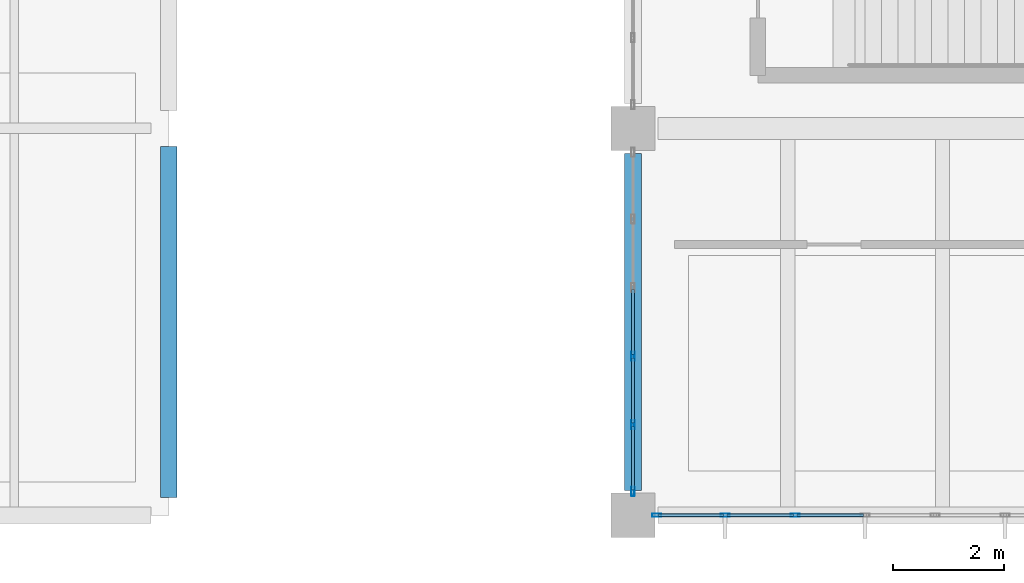
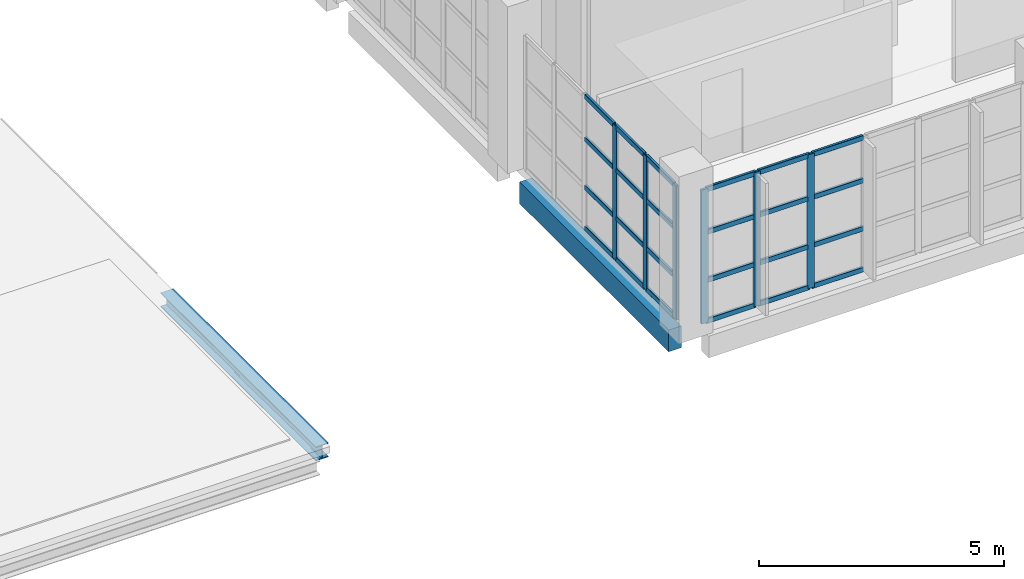
# One storey, part 13 of 177: 30 members, 2 beams, 2 elements without a shape of their own.
"""IFC4 building model written with IfcOpenShell, lengths in metres."""

from ifc_helpers import new_model, si_unit, direction, frame, origin, origin_2d, place, context, subcontext, project, spatial, rectangle, hollow_rectangle, i_section, extrude, material, layer, layer_set, material_profile, profile_set, type_object, element, aggregate, save


model = new_model("IFC4")

# Units and contexts
model_context = context("Model", 3, precision=1e-05, world=origin(), true_north=direction((0.0, 1.0)))
body_context = subcontext(model_context, "Body", "Model", "MODEL_VIEW")
ifc_project = project(units=[si_unit("LENGTHUNIT", "METRE"), si_unit("AREAUNIT", "SQUARE_METRE"), si_unit("VOLUMEUNIT", "CUBIC_METRE"), si_unit("PLANEANGLEUNIT", "RADIAN"), si_unit("MASSUNIT", "GRAM", prefix="KILO"), si_unit("THERMODYNAMICTEMPERATUREUNIT", "KELVIN"), si_unit("POWERUNIT", "WATT")], contexts=[model_context])

# Site, building, storey
site_placement = place(None, origin())
site = spatial("IfcSite", under=ifc_project, at=site_placement, CompositionType="ELEMENT")
building_placement = place(site_placement, origin())
building = spatial("IfcBuilding", under=site, at=building_placement, Name="Mavoryth Pier Ferry Terminal", CompositionType="ELEMENT")
storey_placement = place(building_placement, frame((0.0, 0.0, 5.43994140625)))
storey = spatial("IfcBuildingStorey", under=building, at=storey_placement, Name="L01", CompositionType="ELEMENT", Elevation=5.43994140625)

# Curtain wall, members
ifc_material_1 = material(Name="Anodised Aluminium and Solar-Control Low-E Glass", Category="aluminium")
ifc_layer = layer(ifc_material_1, 0.239990234375, Name="Anodised Aluminium and Solar-Control Low-E Glass", Category="aluminium")
ifc_layer_set = layer_set([ifc_layer], Name="Anodised Aluminium and Solar-Control Low-E Glass - CW-Operations-Mod1200")
curtain_wall_type = type_object("IfcCurtainWallType", Name="CW-Operations-Mod1200", PredefinedType="USERDEFINED", material=ifc_layer_set)
curtain_wall_1_placement = place(storey_placement, origin())
curtain_wall_1 = element("IfcCurtainWall", 1, at=curtain_wall_1_placement, inside=storey, type_object=curtain_wall_type, Name="Curtain Wall CW-0122-110", ObjectType="UNITISED CURTAIN WALL", PredefinedType="USERDEFINED")
ifc_material_2 = material(Name="Anodised Aluminium EN AW-6063", Category="aluminium")
ifc_material_profile_1 = material_profile(ifc_material_2, hollow_rectangle(XDim=0.06005859375, YDim=0.1650390625, WallThickness=0.00390625, InnerFilletRadius=0.00390625, OuterFilletRadius=0.008056640625, at=origin_2d()), Name="AL-MULL 165x60x4", Category="aluminium")
ifc_profile_set_1 = profile_set([ifc_material_profile_1], Name="Anodised Aluminium EN AW-6063 - AL-MULL 165x60x4")
member_type_1 = type_object("IfcMemberType", Name="Mullion-Alum-165x60", PredefinedType="MULLION", material=ifc_profile_set_1)
member_1_placement = place(storey_placement, frame((42.429931640625, 0.0, 0.0), z_axis=(0.0, 0.0, 1.0), x_axis=(0.0, 1.0, 0.0)))
member_1 = element("IfcMember", 2, at=member_1_placement, type_object=member_type_1, Name="CW06 mullion 1", PredefinedType="MULLION", context=body_context, shape_type="SweptSolid", body=[
    extrude(hollow_rectangle(XDim=0.06005859375, YDim=0.1650390625, WallThickness=0.00390625, InnerFilletRadius=0.00390625, OuterFilletRadius=0.008056640625, at=origin_2d()), origin(), (0.0, 0.0, 1.0), 3.344970703125),
])
member_2_placement = place(storey_placement, frame((43.666748046875, 0.0, 0.0), z_axis=(0.0, 0.0, 1.0), x_axis=(0.0, 1.0, 0.0)))
member_2 = element("IfcMember", 3, at=member_2_placement, type_object=member_type_1, Name="CW06 mullion 2", PredefinedType="MULLION", context=body_context, shape_type="SweptSolid", body=[
    extrude(hollow_rectangle(XDim=0.06005859375, YDim=0.1650390625, WallThickness=0.00390625, InnerFilletRadius=0.00390625, OuterFilletRadius=0.008056640625, at=origin_2d()), origin(), (0.0, 0.0, 1.0), 3.344970703125),
])
member_3_placement = place(storey_placement, frame((44.933349609375, 0.0, 0.0), z_axis=(0.0, 0.0, 1.0), x_axis=(0.0, 1.0, 0.0)))
member_3 = element("IfcMember", 4, at=member_3_placement, type_object=member_type_1, Name="CW06 mullion 3", PredefinedType="MULLION", context=body_context, shape_type="SweptSolid", body=[
    extrude(hollow_rectangle(XDim=0.06005859375, YDim=0.1650390625, WallThickness=0.00390625, InnerFilletRadius=0.00390625, OuterFilletRadius=0.008056640625, at=origin_2d()), origin(), (0.0, 0.0, 1.0), 3.344970703125),
])

curtain_wall_2_placement = place(storey_placement, origin())
curtain_wall_2 = element("IfcCurtainWall", 5, at=curtain_wall_2_placement, inside=storey, type_object=curtain_wall_type, Name="Curtain Wall CW-0122-120", ObjectType="UNITISED CURTAIN WALL", PredefinedType="USERDEFINED")
member_4_placement = place(storey_placement, frame((42.0, 2.8798828125, 0.0), z_axis=(0.0, 0.0, 1.0), x_axis=(1.0, 0.0, 0.0)))
member_4 = element("IfcMember", 6, at=member_4_placement, type_object=member_type_1, Name="CW06 mullion 4", PredefinedType="MULLION", context=body_context, shape_type="SweptSolid", body=[
    extrude(hollow_rectangle(XDim=0.06005859375, YDim=0.1650390625, WallThickness=0.00390625, InnerFilletRadius=0.00390625, OuterFilletRadius=0.008056640625, at=origin_2d()), origin(), (0.0, 0.0, 1.0), 3.344970703125),
])
member_5_placement = place(storey_placement, frame((42.0, 1.639892578125, 0.0), z_axis=(0.0, 0.0, 1.0), x_axis=(1.0, 0.0, 0.0)))
member_5 = element("IfcMember", 7, at=member_5_placement, type_object=member_type_1, Name="CW06 mullion 5", PredefinedType="MULLION", context=body_context, shape_type="SweptSolid", body=[
    extrude(hollow_rectangle(XDim=0.06005859375, YDim=0.1650390625, WallThickness=0.00390625, InnerFilletRadius=0.00390625, OuterFilletRadius=0.008056640625, at=origin_2d()), origin(), (0.0, 0.0, 1.0), 3.344970703125),
])
member_6_placement = place(storey_placement, frame((42.0, 0.429931640625, 0.0), z_axis=(0.0, 0.0, 1.0), x_axis=(1.0, 0.0, 0.0)))
member_6 = element("IfcMember", 8, at=member_6_placement, type_object=member_type_1, Name="CW06 mullion 6", PredefinedType="MULLION", context=body_context, shape_type="SweptSolid", body=[
    extrude(hollow_rectangle(XDim=0.06005859375, YDim=0.1650390625, WallThickness=0.00390625, InnerFilletRadius=0.00390625, OuterFilletRadius=0.008056640625, at=origin_2d()), origin(), (0.0, 0.0, 1.0), 3.344970703125),
])

# Beams
ifc_material_3 = material(Name="Concrete C35/45", Category="concrete")
ifc_material_profile_2 = material_profile(ifc_material_3, rectangle(XDim=0.300048828125, YDim=0.5400390625, at=origin_2d()), Name="RC 300x540", Category="concrete")
ifc_profile_set_2 = profile_set([ifc_material_profile_2], Name="Concrete C35/45 - RC 300x540")
beam_type_1 = type_object("IfcBeamType", Name="Spandrel-RC-300x540", PredefinedType="SPANDREL", material=ifc_profile_set_2)
beam_1_placement = place(storey_placement, frame((42.0, 0.449951171875, -0.530029296875), z_axis=(0.0, 1.0, 0.0), x_axis=(-1.0, 0.0, 0.0)))
element("IfcBeam", 9, at=beam_1_placement, inside=storey, type_object=beam_type_1, Name="Beam B01-SP02-0534", PredefinedType="SPANDREL", context=body_context, shape_type="SweptSolid", body=[
    extrude(rectangle(XDim=0.300048828125, YDim=0.5400390625, at=origin_2d()), origin(), (0.0, 0.0, 1.0), 6.10009765625),
])
ifc_material_4 = material(Name="Steel S355J2", Category="steel")
ifc_material_profile_3 = material_profile(ifc_material_4, i_section(OverallWidth=0.300048828125, OverallDepth=0.35009765625, WebThickness=0.010009765625, FlangeThickness=0.017578125, FilletRadius=0.027099609375, at=origin_2d()), Name="HEA 360", Category="steel")
ifc_profile_set_3 = profile_set([ifc_material_profile_3], Name="Steel S355J2 - HEA 360")
beam_type_2 = type_object("IfcBeamType", Name="Spandrel-Steel-HEA360", PredefinedType="SPANDREL", material=ifc_profile_set_3)
beam_2_placement = place(storey_placement, frame((33.60009765625, 0.324951171875, -0.3349609375), z_axis=(0.0, 1.0, 0.0), x_axis=(-1.0, 0.0, 0.0)))
element("IfcBeam", 10, at=beam_2_placement, inside=storey, type_object=beam_type_2, Name="Beam B01-SP03-0021", PredefinedType="SPANDREL", context=body_context, shape_type="SweptSolid", body=[
    extrude(i_section(OverallWidth=0.300048828125, OverallDepth=0.35009765625, WebThickness=0.010009765625, FlangeThickness=0.017578125, FilletRadius=0.027099609375, at=origin_2d()), origin(), (0.0, 0.0, 1.0), 6.35009765625),
])

# Member
ifc_material_profile_4 = material_profile(ifc_material_2, hollow_rectangle(XDim=0.06005859375, YDim=0.125, WallThickness=0.00390625, InnerFilletRadius=0.00390625, OuterFilletRadius=0.008056640625, at=origin_2d()), Name="AL-TRAN 125x60x4", Category="aluminium")
ifc_profile_set_4 = profile_set([ifc_material_profile_4], Name="Anodised Aluminium EN AW-6063 - AL-TRAN 125x60x4")
member_type_2 = type_object("IfcMemberType", Name="Transom-Alum-125x60", PredefinedType="USERDEFINED", material=ifc_profile_set_4)
member_7_placement = place(storey_placement, frame((42.4599609375, 0.0, 0.030029296875), z_axis=(1.0, 0.0, 0.0), x_axis=(0.0, 1.0, 0.0)))
member_7 = element("IfcMember", 11, at=member_7_placement, type_object=member_type_2, Name="CW06 transom 1.1", ObjectType="TRANSOM", PredefinedType="USERDEFINED", context=body_context, shape_type="SweptSolid", body=[
    extrude(hollow_rectangle(XDim=0.06005859375, YDim=0.125, WallThickness=0.00390625, InnerFilletRadius=0.00390625, OuterFilletRadius=0.008056640625, at=origin_2d()), origin(), (0.0, 0.0, 1.0), 1.1767578125),
])

member_8_placement = place(storey_placement, frame((42.4599609375, 0.0, 1.050048828125), z_axis=(1.0, 0.0, 0.0), x_axis=(0.0, 1.0, 0.0)))
member_8 = element("IfcMember", 12, at=member_8_placement, type_object=member_type_2, Name="CW06 transom 1.2", ObjectType="TRANSOM", PredefinedType="USERDEFINED", context=body_context, shape_type="SweptSolid", body=[
    extrude(hollow_rectangle(XDim=0.06005859375, YDim=0.125, WallThickness=0.00390625, InnerFilletRadius=0.00390625, OuterFilletRadius=0.008056640625, at=origin_2d()), origin(), (0.0, 0.0, 1.0), 1.1767578125),
])

member_9_placement = place(storey_placement, frame((42.4599609375, 0.0, 2.25), z_axis=(1.0, 0.0, 0.0), x_axis=(0.0, 1.0, 0.0)))
member_9 = element("IfcMember", 13, at=member_9_placement, type_object=member_type_2, Name="CW06 transom 1.3", ObjectType="TRANSOM", PredefinedType="USERDEFINED", context=body_context, shape_type="SweptSolid", body=[
    extrude(hollow_rectangle(XDim=0.06005859375, YDim=0.125, WallThickness=0.00390625, InnerFilletRadius=0.00390625, OuterFilletRadius=0.008056640625, at=origin_2d()), origin(), (0.0, 0.0, 1.0), 1.1767578125),
])

member_10_placement = place(storey_placement, frame((42.4599609375, 0.0, 3.31494140625), z_axis=(1.0, 0.0, 0.0), x_axis=(0.0, 1.0, 0.0)))
member_10 = element("IfcMember", 14, at=member_10_placement, type_object=member_type_2, Name="CW06 transom 1.4", ObjectType="TRANSOM", PredefinedType="USERDEFINED", context=body_context, shape_type="SweptSolid", body=[
    extrude(hollow_rectangle(XDim=0.06005859375, YDim=0.125, WallThickness=0.00390625, InnerFilletRadius=0.00390625, OuterFilletRadius=0.008056640625, at=origin_2d()), origin(), (0.0, 0.0, 1.0), 1.1767578125),
])

member_11_placement = place(storey_placement, frame((43.69677734375, 0.0, 0.030029296875), z_axis=(1.0, 0.0, 0.0), x_axis=(0.0, 1.0, 0.0)))
member_11 = element("IfcMember", 15, at=member_11_placement, type_object=member_type_2, Name="CW06 transom 2.1", ObjectType="TRANSOM", PredefinedType="USERDEFINED", context=body_context, shape_type="SweptSolid", body=[
    extrude(hollow_rectangle(XDim=0.06005859375, YDim=0.125, WallThickness=0.00390625, InnerFilletRadius=0.00390625, OuterFilletRadius=0.008056640625, at=origin_2d()), origin(), (0.0, 0.0, 1.0), 1.20654296875),
])

member_12_placement = place(storey_placement, frame((43.69677734375, 0.0, 1.050048828125), z_axis=(1.0, 0.0, 0.0), x_axis=(0.0, 1.0, 0.0)))
member_12 = element("IfcMember", 16, at=member_12_placement, type_object=member_type_2, Name="CW06 transom 2.2", ObjectType="TRANSOM", PredefinedType="USERDEFINED", context=body_context, shape_type="SweptSolid", body=[
    extrude(hollow_rectangle(XDim=0.06005859375, YDim=0.125, WallThickness=0.00390625, InnerFilletRadius=0.00390625, OuterFilletRadius=0.008056640625, at=origin_2d()), origin(), (0.0, 0.0, 1.0), 1.20654296875),
])

member_13_placement = place(storey_placement, frame((43.69677734375, 0.0, 2.25), z_axis=(1.0, 0.0, 0.0), x_axis=(0.0, 1.0, 0.0)))
member_13 = element("IfcMember", 17, at=member_13_placement, type_object=member_type_2, Name="CW06 transom 2.3", ObjectType="TRANSOM", PredefinedType="USERDEFINED", context=body_context, shape_type="SweptSolid", body=[
    extrude(hollow_rectangle(XDim=0.06005859375, YDim=0.125, WallThickness=0.00390625, InnerFilletRadius=0.00390625, OuterFilletRadius=0.008056640625, at=origin_2d()), origin(), (0.0, 0.0, 1.0), 1.20654296875),
])

member_14_placement = place(storey_placement, frame((43.69677734375, 0.0, 3.31494140625), z_axis=(1.0, 0.0, 0.0), x_axis=(0.0, 1.0, 0.0)))
member_14 = element("IfcMember", 18, at=member_14_placement, type_object=member_type_2, Name="CW06 transom 2.4", ObjectType="TRANSOM", PredefinedType="USERDEFINED", context=body_context, shape_type="SweptSolid", body=[
    extrude(hollow_rectangle(XDim=0.06005859375, YDim=0.125, WallThickness=0.00390625, InnerFilletRadius=0.00390625, OuterFilletRadius=0.008056640625, at=origin_2d()), origin(), (0.0, 0.0, 1.0), 1.20654296875),
])

member_15_placement = place(storey_placement, frame((44.96337890625, 0.0, 0.030029296875), z_axis=(1.0, 0.0, 0.0), x_axis=(0.0, 1.0, 0.0)))
member_15 = element("IfcMember", 19, at=member_15_placement, type_object=member_type_2, Name="CW06 transom 3.1", ObjectType="TRANSOM", PredefinedType="USERDEFINED", context=body_context, shape_type="SweptSolid", body=[
    extrude(hollow_rectangle(XDim=0.06005859375, YDim=0.125, WallThickness=0.00390625, InnerFilletRadius=0.00390625, OuterFilletRadius=0.008056640625, at=origin_2d()), origin(), (0.0, 0.0, 1.0), 1.20654296875),
])

member_16_placement = place(storey_placement, frame((44.96337890625, 0.0, 1.050048828125), z_axis=(1.0, 0.0, 0.0), x_axis=(0.0, 1.0, 0.0)))
member_16 = element("IfcMember", 20, at=member_16_placement, type_object=member_type_2, Name="CW06 transom 3.2", ObjectType="TRANSOM", PredefinedType="USERDEFINED", context=body_context, shape_type="SweptSolid", body=[
    extrude(hollow_rectangle(XDim=0.06005859375, YDim=0.125, WallThickness=0.00390625, InnerFilletRadius=0.00390625, OuterFilletRadius=0.008056640625, at=origin_2d()), origin(), (0.0, 0.0, 1.0), 1.20654296875),
])

member_17_placement = place(storey_placement, frame((44.96337890625, 0.0, 2.25), z_axis=(1.0, 0.0, 0.0), x_axis=(0.0, 1.0, 0.0)))
member_17 = element("IfcMember", 21, at=member_17_placement, type_object=member_type_2, Name="CW06 transom 3.3", ObjectType="TRANSOM", PredefinedType="USERDEFINED", context=body_context, shape_type="SweptSolid", body=[
    extrude(hollow_rectangle(XDim=0.06005859375, YDim=0.125, WallThickness=0.00390625, InnerFilletRadius=0.00390625, OuterFilletRadius=0.008056640625, at=origin_2d()), origin(), (0.0, 0.0, 1.0), 1.20654296875),
])

member_18_placement = place(storey_placement, frame((44.96337890625, 0.0, 3.31494140625), z_axis=(1.0, 0.0, 0.0), x_axis=(0.0, 1.0, 0.0)))
member_18 = element("IfcMember", 22, at=member_18_placement, type_object=member_type_2, Name="CW06 transom 3.4", ObjectType="TRANSOM", PredefinedType="USERDEFINED", context=body_context, shape_type="SweptSolid", body=[
    extrude(hollow_rectangle(XDim=0.06005859375, YDim=0.125, WallThickness=0.00390625, InnerFilletRadius=0.00390625, OuterFilletRadius=0.008056640625, at=origin_2d()), origin(), (0.0, 0.0, 1.0), 1.20654296875),
])

aggregate(curtain_wall_1, [member_1, member_2, member_3, member_7, member_8, member_9, member_10, member_11, member_12, member_13, member_14, member_15, member_16, member_17, member_18])

member_19_placement = place(storey_placement, frame((42.0, 4.090087890625, 0.030029296875), z_axis=(0.0, -1.0, 0.0), x_axis=(1.0, 0.0, 0.0)))
member_19 = element("IfcMember", 23, at=member_19_placement, type_object=member_type_2, Name="CW06 transom 3.1", ObjectType="TRANSOM", PredefinedType="USERDEFINED", context=body_context, shape_type="SweptSolid", body=[
    extrude(hollow_rectangle(XDim=0.06005859375, YDim=0.125, WallThickness=0.00390625, InnerFilletRadius=0.00390625, OuterFilletRadius=0.008056640625, at=origin_2d()), origin(), (0.0, 0.0, 1.0), 1.18017578125),
])

member_20_placement = place(storey_placement, frame((42.0, 4.090087890625, 1.050048828125), z_axis=(0.0, -1.0, 0.0), x_axis=(1.0, 0.0, 0.0)))
member_20 = element("IfcMember", 24, at=member_20_placement, type_object=member_type_2, Name="CW06 transom 3.2", ObjectType="TRANSOM", PredefinedType="USERDEFINED", context=body_context, shape_type="SweptSolid", body=[
    extrude(hollow_rectangle(XDim=0.06005859375, YDim=0.125, WallThickness=0.00390625, InnerFilletRadius=0.00390625, OuterFilletRadius=0.008056640625, at=origin_2d()), origin(), (0.0, 0.0, 1.0), 1.18017578125),
])

member_21_placement = place(storey_placement, frame((42.0, 4.090087890625, 2.25), z_axis=(0.0, -1.0, 0.0), x_axis=(1.0, 0.0, 0.0)))
member_21 = element("IfcMember", 25, at=member_21_placement, type_object=member_type_2, Name="CW06 transom 3.3", ObjectType="TRANSOM", PredefinedType="USERDEFINED", context=body_context, shape_type="SweptSolid", body=[
    extrude(hollow_rectangle(XDim=0.06005859375, YDim=0.125, WallThickness=0.00390625, InnerFilletRadius=0.00390625, OuterFilletRadius=0.008056640625, at=origin_2d()), origin(), (0.0, 0.0, 1.0), 1.18017578125),
])

member_22_placement = place(storey_placement, frame((42.0, 4.090087890625, 3.31494140625), z_axis=(0.0, -1.0, 0.0), x_axis=(1.0, 0.0, 0.0)))
member_22 = element("IfcMember", 26, at=member_22_placement, type_object=member_type_2, Name="CW06 transom 3.4", ObjectType="TRANSOM", PredefinedType="USERDEFINED", context=body_context, shape_type="SweptSolid", body=[
    extrude(hollow_rectangle(XDim=0.06005859375, YDim=0.125, WallThickness=0.00390625, InnerFilletRadius=0.00390625, OuterFilletRadius=0.008056640625, at=origin_2d()), origin(), (0.0, 0.0, 1.0), 1.18017578125),
])

member_23_placement = place(storey_placement, frame((42.0, 2.85009765625, 0.030029296875), z_axis=(0.0, -1.0, 0.0), x_axis=(1.0, 0.0, 0.0)))
member_23 = element("IfcMember", 27, at=member_23_placement, type_object=member_type_2, Name="CW06 transom 4.1", ObjectType="TRANSOM", PredefinedType="USERDEFINED", context=body_context, shape_type="SweptSolid", body=[
    extrude(hollow_rectangle(XDim=0.06005859375, YDim=0.125, WallThickness=0.00390625, InnerFilletRadius=0.00390625, OuterFilletRadius=0.008056640625, at=origin_2d()), origin(), (0.0, 0.0, 1.0), 1.18017578125),
])

member_24_placement = place(storey_placement, frame((42.0, 2.85009765625, 1.050048828125), z_axis=(0.0, -1.0, 0.0), x_axis=(1.0, 0.0, 0.0)))
member_24 = element("IfcMember", 28, at=member_24_placement, type_object=member_type_2, Name="CW06 transom 4.2", ObjectType="TRANSOM", PredefinedType="USERDEFINED", context=body_context, shape_type="SweptSolid", body=[
    extrude(hollow_rectangle(XDim=0.06005859375, YDim=0.125, WallThickness=0.00390625, InnerFilletRadius=0.00390625, OuterFilletRadius=0.008056640625, at=origin_2d()), origin(), (0.0, 0.0, 1.0), 1.18017578125),
])

member_25_placement = place(storey_placement, frame((42.0, 2.85009765625, 2.25), z_axis=(0.0, -1.0, 0.0), x_axis=(1.0, 0.0, 0.0)))
member_25 = element("IfcMember", 29, at=member_25_placement, type_object=member_type_2, Name="CW06 transom 4.3", ObjectType="TRANSOM", PredefinedType="USERDEFINED", context=body_context, shape_type="SweptSolid", body=[
    extrude(hollow_rectangle(XDim=0.06005859375, YDim=0.125, WallThickness=0.00390625, InnerFilletRadius=0.00390625, OuterFilletRadius=0.008056640625, at=origin_2d()), origin(), (0.0, 0.0, 1.0), 1.18017578125),
])

member_26_placement = place(storey_placement, frame((42.0, 2.85009765625, 3.31494140625), z_axis=(0.0, -1.0, 0.0), x_axis=(1.0, 0.0, 0.0)))
member_26 = element("IfcMember", 30, at=member_26_placement, type_object=member_type_2, Name="CW06 transom 4.4", ObjectType="TRANSOM", PredefinedType="USERDEFINED", context=body_context, shape_type="SweptSolid", body=[
    extrude(hollow_rectangle(XDim=0.06005859375, YDim=0.125, WallThickness=0.00390625, InnerFilletRadius=0.00390625, OuterFilletRadius=0.008056640625, at=origin_2d()), origin(), (0.0, 0.0, 1.0), 1.18017578125),
])

member_27_placement = place(storey_placement, frame((42.0, 1.610107421875, 0.030029296875), z_axis=(0.0, -1.0, 0.0), x_axis=(1.0, 0.0, 0.0)))
member_27 = element("IfcMember", 31, at=member_27_placement, type_object=member_type_2, Name="CW06 transom 5.1", ObjectType="TRANSOM", PredefinedType="USERDEFINED", context=body_context, shape_type="SweptSolid", body=[
    extrude(hollow_rectangle(XDim=0.06005859375, YDim=0.125, WallThickness=0.00390625, InnerFilletRadius=0.00390625, OuterFilletRadius=0.008056640625, at=origin_2d()), origin(), (0.0, 0.0, 1.0), 1.150146484375),
])

member_28_placement = place(storey_placement, frame((42.0, 1.610107421875, 1.050048828125), z_axis=(0.0, -1.0, 0.0), x_axis=(1.0, 0.0, 0.0)))
member_28 = element("IfcMember", 32, at=member_28_placement, type_object=member_type_2, Name="CW06 transom 5.2", ObjectType="TRANSOM", PredefinedType="USERDEFINED", context=body_context, shape_type="SweptSolid", body=[
    extrude(hollow_rectangle(XDim=0.06005859375, YDim=0.125, WallThickness=0.00390625, InnerFilletRadius=0.00390625, OuterFilletRadius=0.008056640625, at=origin_2d()), origin(), (0.0, 0.0, 1.0), 1.150146484375),
])

member_29_placement = place(storey_placement, frame((42.0, 1.610107421875, 2.25), z_axis=(0.0, -1.0, 0.0), x_axis=(1.0, 0.0, 0.0)))
member_29 = element("IfcMember", 33, at=member_29_placement, type_object=member_type_2, Name="CW06 transom 5.3", ObjectType="TRANSOM", PredefinedType="USERDEFINED", context=body_context, shape_type="SweptSolid", body=[
    extrude(hollow_rectangle(XDim=0.06005859375, YDim=0.125, WallThickness=0.00390625, InnerFilletRadius=0.00390625, OuterFilletRadius=0.008056640625, at=origin_2d()), origin(), (0.0, 0.0, 1.0), 1.150146484375),
])

member_30_placement = place(storey_placement, frame((42.0, 1.610107421875, 3.31494140625), z_axis=(0.0, -1.0, 0.0), x_axis=(1.0, 0.0, 0.0)))
member_30 = element("IfcMember", 34, at=member_30_placement, type_object=member_type_2, Name="CW06 transom 5.4", ObjectType="TRANSOM", PredefinedType="USERDEFINED", context=body_context, shape_type="SweptSolid", body=[
    extrude(hollow_rectangle(XDim=0.06005859375, YDim=0.125, WallThickness=0.00390625, InnerFilletRadius=0.00390625, OuterFilletRadius=0.008056640625, at=origin_2d()), origin(), (0.0, 0.0, 1.0), 1.150146484375),
])

aggregate(curtain_wall_2, [member_4, member_5, member_6, member_19, member_20, member_21, member_22, member_23, member_24, member_25, member_26, member_27, member_28, member_29, member_30])

save(model, "model.ifc")
